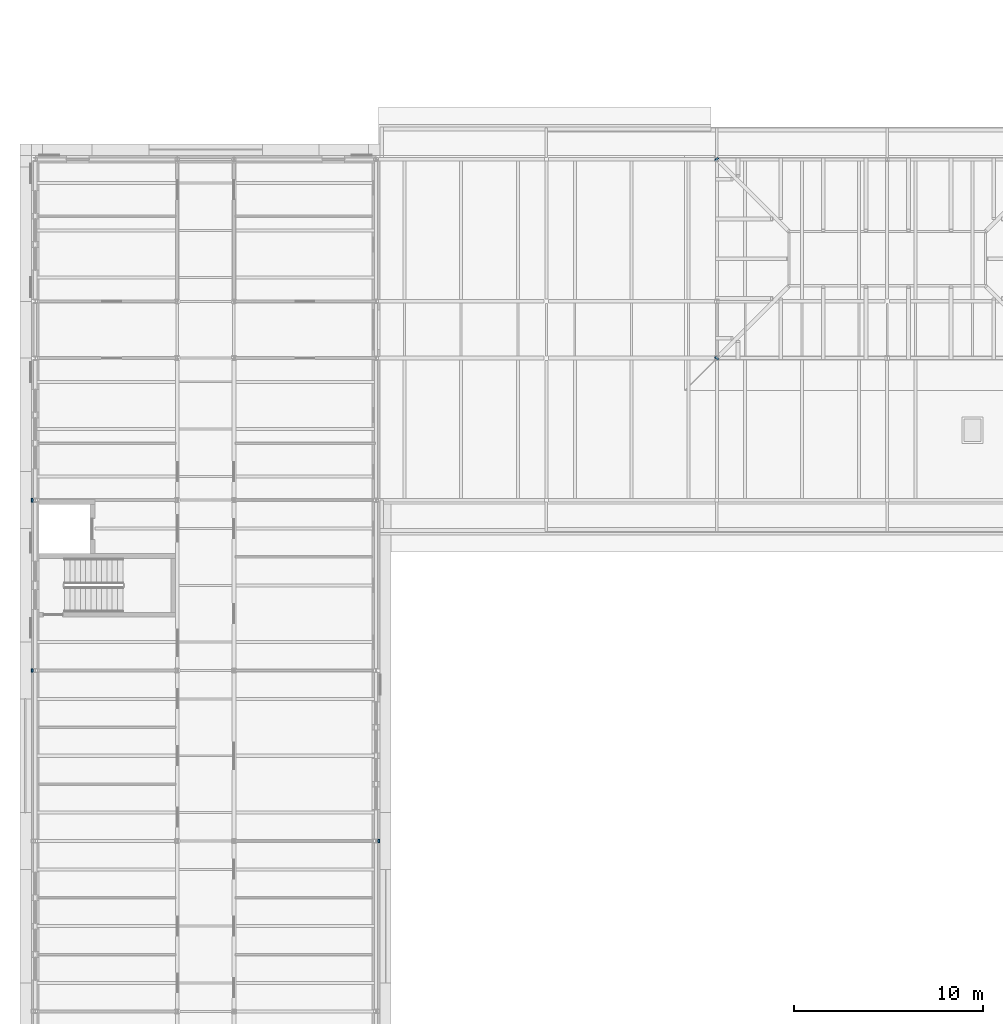
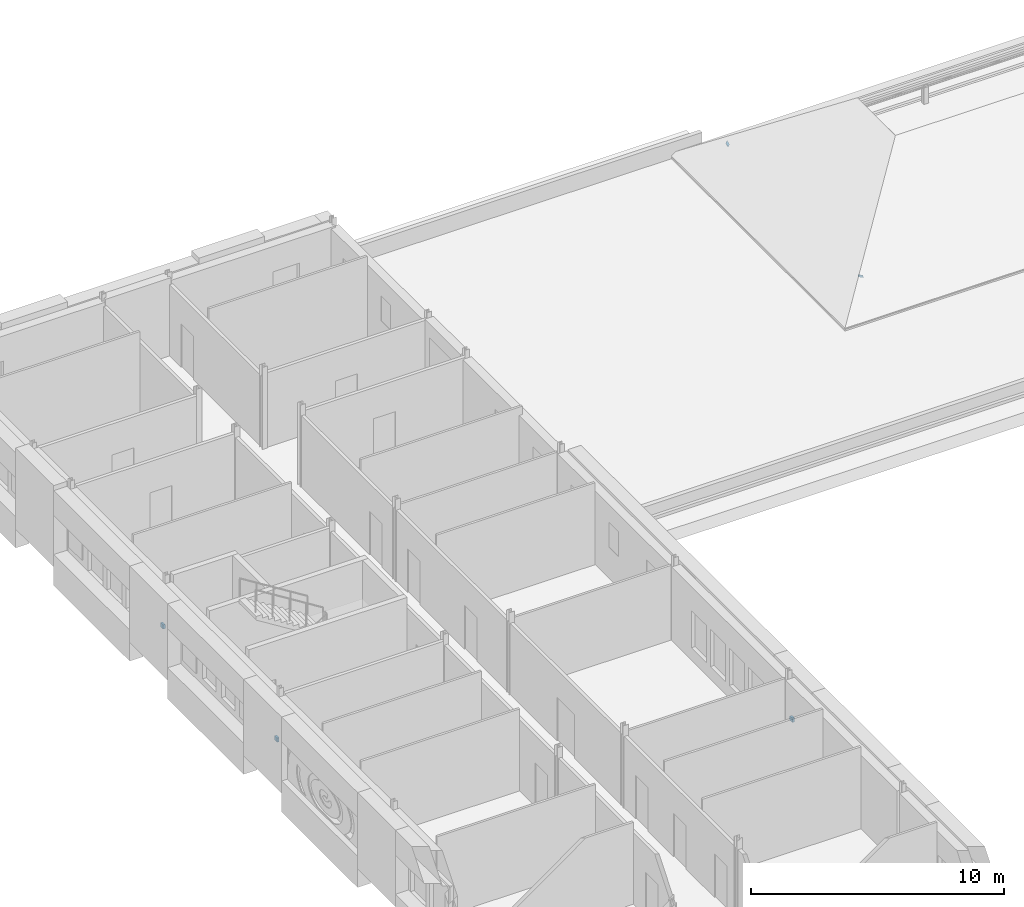
# One storey, part 32 of 42: 5 discrete accessories.
"""IFC4 building model written with IfcOpenShell, lengths in metres."""

from ifc_helpers import new_model, si_unit, direction, frame, origin, origin_2d, place, context, subcontext, project, spatial, rectangle, extrude, material, material_profile, profile_set, type_object, element, save


model = new_model("IFC4")

# Units and contexts
model_context = context("Model", 3, precision=1e-05, world=origin(), true_north=direction((0.0, 1.0)))
body_context = subcontext(model_context, "Body", "Model", "MODEL_VIEW")
ifc_project = project(units=[si_unit("LENGTHUNIT", "METRE"), si_unit("AREAUNIT", "SQUARE_METRE"), si_unit("VOLUMEUNIT", "CUBIC_METRE"), si_unit("PLANEANGLEUNIT", "RADIAN"), si_unit("MASSUNIT", "GRAM", prefix="KILO")], contexts=[model_context])

# Site, building, storey
site_placement = place(None, origin())
site = spatial("IfcSite", under=ifc_project, at=site_placement, CompositionType="ELEMENT")
building_placement = place(site_placement, origin())
building = spatial("IfcBuilding", under=site, at=building_placement, Name="Golden Quay Civic Hall", CompositionType="ELEMENT")
storey_placement = place(building_placement, frame((0.0, 0.0, 22.800048828125)))
storey = spatial("IfcBuildingStorey", under=building, at=storey_placement, Name="L05", CompositionType="ELEMENT", Elevation=22.800048828125)

# Discrete accessories
ifc_material_1 = material(Name="Steel S355", Category="steel")
discrete_accessory_type_1 = type_object("IfcDiscreteAccessoryType", Name="Pier fixing bracket 200 x 200", PredefinedType="BRACKET", material=ifc_material_1)
for number, where, z_axis, x_axis, name in (
    (1, (-0.14990234375, 54.0, 1.39990234375), (0.0, 0.0, 1.0), (0.0, -1.0, 0.0), "Pier fixing bracket 200 x 200 L05 6"),
    (2, (-0.14990234375, 63.0, 1.39990234375), (0.0, 0.0, 1.0), (0.0, -1.0, 0.0), "Pier fixing bracket 200 x 200 L05 7"),
    (3, (18.14990234375, 45.0, 1.39990234375), (0.0, 0.0, 1.0), (0.0, 1.0, 0.0), "Pier fixing bracket 200 x 200 L05 13"),
):
    element("IfcDiscreteAccessory", number, at=place(storey_placement, frame(where, z_axis=z_axis, x_axis=x_axis)), inside=storey, type_object=discrete_accessory_type_1, Name=name, PredefinedType="BRACKET", context=body_context, shape_type="SweptSolid", body=[
        extrude(rectangle(XDim=0.199951171875, YDim=0.10009765625, at=origin_2d()), origin(), (0.0, 0.0, 1.0), 0.199951171875),
    ])
ifc_material_2 = material(Name="Steel S355", Category="steel")
ifc_material_profile = material_profile(ifc_material_2, rectangle(XDim=0.199951171875, YDim=0.199951171875, at=origin_2d()), Name="Steel end cap plate 200x200x16")
ifc_profile_set = profile_set([ifc_material_profile], Name="Steel S355")
discrete_accessory_type_2 = type_object("IfcDiscreteAccessoryType", Name="Steel end cap plate 200x200x16", PredefinedType="BRACKET", material=ifc_profile_set)
for number, where, z_axis, x_axis, name in (
    (4, (36.0, 70.5, 1.1533203125), (-0.623578652148, -0.623578652148, -0.471486297966), (0.707106781187, -0.707106781187, 0.0), "End cap hip rafter NW-E south-west"),
    (5, (36.0, 81.0, 1.1533203125), (-0.623578652148, 0.623578652148, -0.471486297966), (-0.707106781187, -0.707106781187, 0.0), "End cap hip rafter NW-E north-west"),
):
    element("IfcDiscreteAccessory", number, at=place(storey_placement, frame(where, z_axis=z_axis, x_axis=x_axis)), inside=storey, type_object=discrete_accessory_type_2, Name=name, PredefinedType="BRACKET", context=body_context, shape_type="SweptSolid", body=[
        extrude(rectangle(XDim=0.199951171875, YDim=0.199951171875, at=origin_2d()), origin(), (0.0, 0.0, 1.0), 0.01611328125),
    ])

save(model, "model.ifc")
